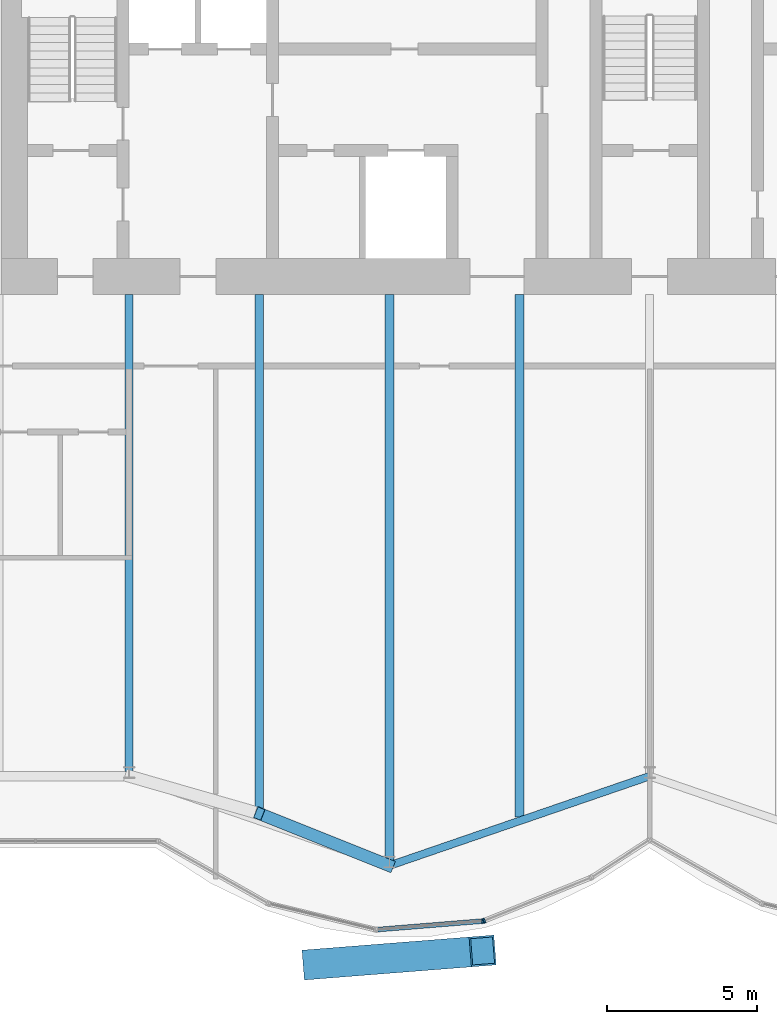
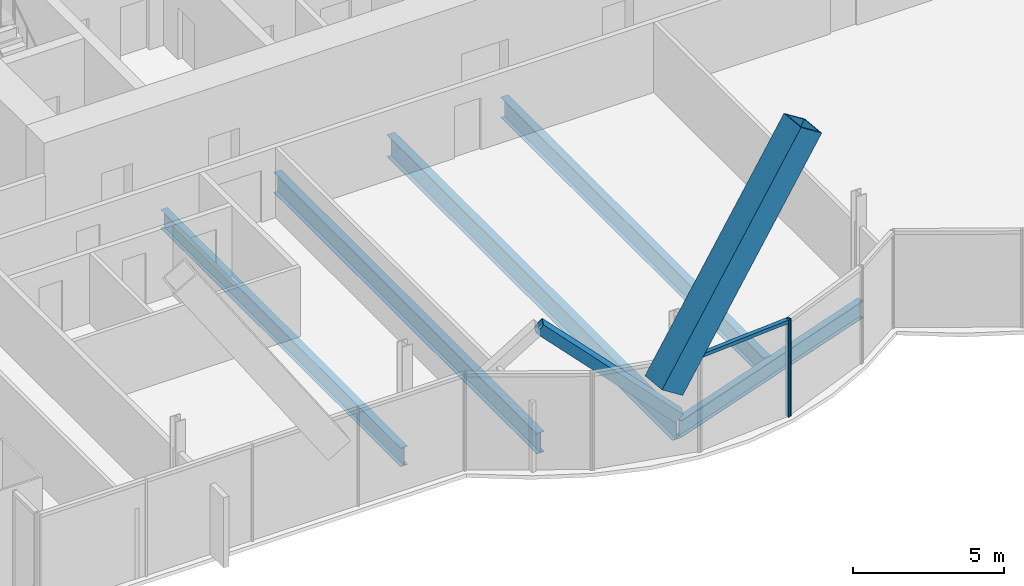
# One storey, part 6 of 20: 5 beams, 5 members, 1 element without a shape of its own.
"""IFC4 building model written with IfcOpenShell, lengths in metres."""

from ifc_helpers import new_model, si_unit, direction, frame, origin, origin_2d, place, context, subcontext, project, spatial, rectangle, hollow_rectangle, i_section, extrude, material, material_profile, profile_set, type_object, element, aggregate, save


model = new_model("IFC4")

# Units and contexts
model_context = context("Model", 3, precision=1e-05, world=origin(), true_north=direction((0.0, 1.0)))
body_context = subcontext(model_context, "Body", "Model", "MODEL_VIEW")
ifc_project = project(units=[si_unit("LENGTHUNIT", "METRE"), si_unit("AREAUNIT", "SQUARE_METRE"), si_unit("VOLUMEUNIT", "CUBIC_METRE"), si_unit("PLANEANGLEUNIT", "RADIAN"), si_unit("MASSUNIT", "GRAM", prefix="KILO")], contexts=[model_context])

# Site, building, storey
site_placement = place(None, origin())
site = spatial("IfcSite", under=ifc_project, at=site_placement, CompositionType="ELEMENT")
building_placement = place(site_placement, origin())
building = spatial("IfcBuilding", under=site, at=building_placement, Name="Bicima Exchange Tower", CompositionType="ELEMENT")
storey_placement = place(building_placement, frame((0.0, 0.0, 219.60009765625)))
storey = spatial("IfcBuildingStorey", under=building, at=storey_placement, Name="L49", CompositionType="ELEMENT", Elevation=219.60009765625)

# Member
ifc_material_1 = material(Name="Steel ASTM A572 Gr 50", Category="steel")
ifc_material_profile_1 = material_profile(ifc_material_1, hollow_rectangle(XDim=1.0, YDim=1.0, WallThickness=0.06005859375, at=origin_2d()))
ifc_profile_set_1 = profile_set([ifc_material_profile_1], Name="Steel ASTM A572 Gr 50")
member_type_1 = type_object("IfcMemberType", Name="Exo mega brace BOX 1000x1000x60", PredefinedType="BRACE", material=ifc_profile_set_1)
member_1_placement = place(storey_placement, frame((-11.166748046875, -35.39111328125, 4.066650390625), z_axis=(0.55229083796, 0.043468452485, 0.832517461645), x_axis=(-0.078463079856, 0.996917020167, 0.0)))
element("IfcMember", 1, at=member_1_placement, inside=storey, type_object=member_type_1, Name="Exo mega brace front", PredefinedType="BRACE", context=body_context, shape_type="SweptSolid", body=[
    extrude(hollow_rectangle(XDim=1.0, YDim=1.0, WallThickness=0.06005859375, at=origin_2d()), origin(), (0.0, 0.0, 1.0), 10.109619140625),
])

# Beams
ifc_material_2 = material(Name="Steel ASTM A992 Gr 50", Category="steel")
ifc_material_profile_2 = material_profile(ifc_material_2, i_section(OverallWidth=0.2666015625, OverallDepth=0.75439453125, WebThickness=0.01318359375, FlangeThickness=0.01708984375, at=origin_2d()))
ifc_profile_set_2 = profile_set([ifc_material_profile_2], Name="Steel ASTM A992 Gr 50")
beam_type_1 = type_object("IfcBeamType", Name="Floor beam W30x99", PredefinedType="JOIST", material=ifc_profile_set_2)
beam_1_placement = place(storey_placement, frame((-17.39990234375, -13.0, -0.52734375), z_axis=(0.0, -1.0, 0.0), x_axis=(1.0, 0.0, 0.0)))
element("IfcBeam", 2, at=beam_1_placement, inside=storey, type_object=beam_type_1, Name="Floor beam", PredefinedType="JOIST", context=body_context, shape_type="SweptSolid", body=[
    extrude(i_section(OverallWidth=0.2666015625, OverallDepth=0.75439453125, WebThickness=0.01318359375, FlangeThickness=0.01708984375, at=origin_2d()), origin(), (0.0, 0.0, 1.0), 15.9453125),
])
ifc_material_profile_3 = material_profile(ifc_material_2, i_section(OverallWidth=0.2919921875, OverallDepth=0.835693359375, WebThickness=0.013916015625, FlangeThickness=0.018798828125, at=origin_2d()))
ifc_profile_set_3 = profile_set([ifc_material_profile_3], Name="Steel ASTM A992 Gr 50")
beam_type_2 = type_object("IfcBeamType", Name="Floor beam W33x118", PredefinedType="JOIST", material=ifc_profile_set_3)
for number, where, z_axis, x_axis, name in (
    (3, (-13.050048828125, -13.0, -0.56787109375), (0.0, -1.0, 0.0), (1.0, 0.0, 0.0), "Floor beam"),
    (4, (-4.35009765625, -13.0, -0.56787109375), (0.0, -1.0, 0.0), (1.0, 0.0, 0.0), "Floor beam"),
):
    element("IfcBeam", number, at=place(storey_placement, frame(where, z_axis=z_axis, x_axis=x_axis)), inside=storey, type_object=beam_type_2, Name=name, PredefinedType="JOIST", context=body_context, shape_type="SweptSolid", body=[
        extrude(i_section(OverallWidth=0.2919921875, OverallDepth=0.835693359375, WebThickness=0.013916015625, FlangeThickness=0.018798828125, at=origin_2d()), origin(), (0.0, 0.0, 1.0), 17.468017578125),
    ])
ifc_material_profile_4 = material_profile(ifc_material_2, i_section(OverallWidth=0.3046875, OverallDepth=0.904296875, WebThickness=0.01513671875, FlangeThickness=0.02001953125, at=origin_2d()))
ifc_profile_set_4 = profile_set([ifc_material_profile_4], Name="Steel ASTM A992 Gr 50")
beam_type_3 = type_object("IfcBeamType", Name="Floor beam W36x135", PredefinedType="JOIST", material=ifc_profile_set_4)
beam_2_placement = place(storey_placement, frame((-8.699951171875, -13.0, -0.602294921875), z_axis=(0.0, -1.0, 0.0), x_axis=(1.0, 0.0, 0.0)))
element("IfcBeam", 5, at=beam_2_placement, inside=storey, type_object=beam_type_3, Name="Floor beam", PredefinedType="JOIST", context=body_context, shape_type="SweptSolid", body=[
    extrude(i_section(OverallWidth=0.3046875, OverallDepth=0.904296875, WebThickness=0.01513671875, FlangeThickness=0.02001953125, at=origin_2d()), origin(), (0.0, 0.0, 1.0), 18.96337890625),
])
ifc_material_profile_5 = material_profile(ifc_material_2, i_section(OverallWidth=0.256591796875, OverallDepth=0.693359375, WebThickness=0.014404296875, FlangeThickness=0.023681640625, at=origin_2d()))
ifc_profile_set_5 = profile_set([ifc_material_profile_5], Name="Steel ASTM A992 Gr 50")
beam_type_4 = type_object("IfcBeamType", Name="Front girder W27x114", PredefinedType="BEAM", material=ifc_profile_set_5)
beam_3_placement = place(storey_placement, frame((-8.699951171875, -32.09912109375, -0.496826171875), z_axis=(0.945666456746, 0.325138359143, 0.0), x_axis=(-0.325138359143, 0.945666456746, 0.0)))
element("IfcBeam", 6, at=beam_3_placement, inside=storey, type_object=beam_type_4, Name="Front girder", PredefinedType="BEAM", context=body_context, shape_type="SweptSolid", body=[
    extrude(i_section(OverallWidth=0.256591796875, OverallDepth=0.693359375, WebThickness=0.014404296875, FlangeThickness=0.023681640625, at=origin_2d()), origin(), (0.0, 0.0, 1.0), 9.19970703125),
])

# Curtain wall, members
ifc_material_3 = material(Name="Anodised bronze aluminium", Category="aluminium")
curtain_wall_type = type_object("IfcCurtainWallType", Name="Front glass wall", PredefinedType="NOTDEFINED", material=ifc_material_3)
curtain_wall_placement = place(storey_placement, origin())
curtain_wall = element("IfcCurtainWall", 7, at=curtain_wall_placement, inside=storey, type_object=curtain_wall_type, Name="Front glass wall L49 run 6", PredefinedType="NOTDEFINED")
ifc_material_profile_6 = material_profile(ifc_material_3, rectangle(XDim=0.159912109375, YDim=0.06005859375, at=origin_2d()))
ifc_profile_set_6 = profile_set([ifc_material_profile_6], Name="Anodised bronze aluminium")
member_type_2 = type_object("IfcMemberType", Name="Front glass wall mullion 60 x 160", PredefinedType="MULLION", material=ifc_profile_set_6)
member_2_placement = place(storey_placement, frame((-5.583984375, -33.952880859375, 0.0), z_axis=(0.0, 0.0, 1.0), x_axis=(-0.080588612633, 0.99674744821, 0.0)))
member_2 = element("IfcMember", 8, at=member_2_placement, type_object=member_type_2, Name="Front glass wall mullion 2", PredefinedType="MULLION", context=body_context, shape_type="SweptSolid", body=[
    extrude(rectangle(XDim=0.159912109375, YDim=0.06005859375, at=origin_2d()), origin(), (0.0, 0.0, 1.0), 3.949951171875),
])
member_3_placement = place(storey_placement, frame((-5.526123046875, -33.939208984375, 0.0), z_axis=(0.0, 0.0, 1.0), x_axis=(-0.374705304, 0.92714396679, 0.0)))
member_3 = element("IfcMember", 9, at=member_3_placement, type_object=member_type_2, Name="Front glass wall mullion 1", PredefinedType="MULLION", context=body_context, shape_type="SweptSolid", body=[
    extrude(rectangle(XDim=0.159912109375, YDim=0.06005859375, at=origin_2d()), origin(), (0.0, 0.0, 1.0), 3.949951171875),
])
ifc_material_profile_7 = material_profile(ifc_material_3, rectangle(XDim=0.159912109375, YDim=0.139892578125, at=origin_2d()))
ifc_profile_set_7 = profile_set([ifc_material_profile_7], Name="Anodised bronze aluminium")
member_type_3 = type_object("IfcMemberType", Name="Front glass wall transom 140 x 160", PredefinedType="USERDEFINED", material=ifc_profile_set_7)
member_4_placement = place(storey_placement, frame((-9.08837890625, -34.236083984375, 3.8798828125), z_axis=(0.9967456465, 0.080610893699, 0.0), x_axis=(-0.080610893699, 0.9967456465, 0.0)))
member_4 = element("IfcMember", 10, at=member_4_placement, type_object=member_type_3, Name="Front glass wall transom 1.1", ObjectType="TRANSOM", PredefinedType="USERDEFINED", context=body_context, shape_type="SweptSolid", body=[
    extrude(rectangle(XDim=0.159912109375, YDim=0.139892578125, at=origin_2d()), origin(), (0.0, 0.0, 1.0), 3.48583984375),
])
aggregate(curtain_wall, [member_2, member_4, member_3])

# Member
ifc_material_profile_8 = material_profile(ifc_material_1, hollow_rectangle(XDim=0.406494140625, YDim=0.406494140625, WallThickness=0.0146484375, at=origin_2d()))
ifc_profile_set_8 = profile_set([ifc_material_profile_8], Name="Steel ASTM A572 Gr 50")
member_type_4 = type_object("IfcMemberType", Name="Mega brace HSS16x16x5/8", PredefinedType="BRACE", material=ifc_profile_set_8)
member_5_placement = place(storey_placement, frame((-8.699951171875, -32.09912109375, 0.0), z_axis=(-0.698744239452, 0.279411421377, 0.658548210412), x_axis=(-0.371291842786, -0.928516218211, 0.0)))
element("IfcMember", 11, at=member_5_placement, inside=storey, type_object=member_type_4, Name="Mega brace front", PredefinedType="BRACE", context=body_context, shape_type="SweptSolid", body=[
    extrude(hollow_rectangle(XDim=0.406494140625, YDim=0.406494140625, WallThickness=0.0146484375, at=origin_2d()), origin(), (0.0, 0.0, 1.0), 6.2255859375),
])

save(model, "model.ifc")
